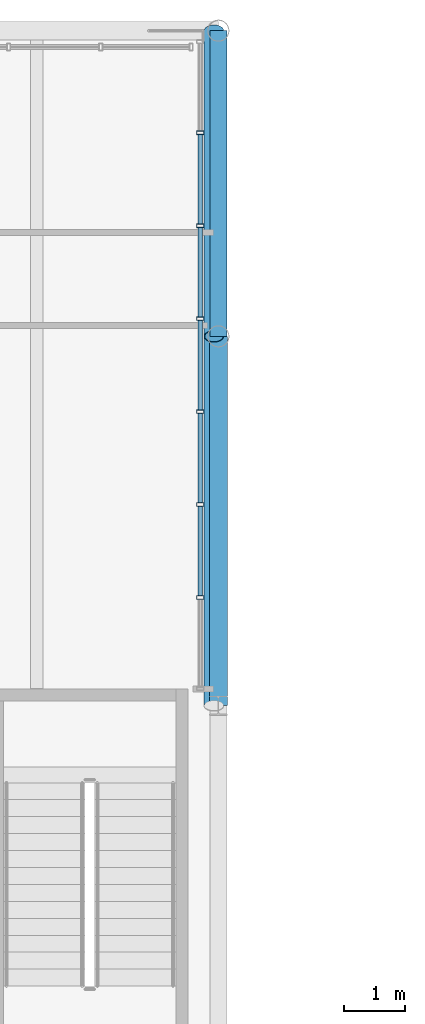
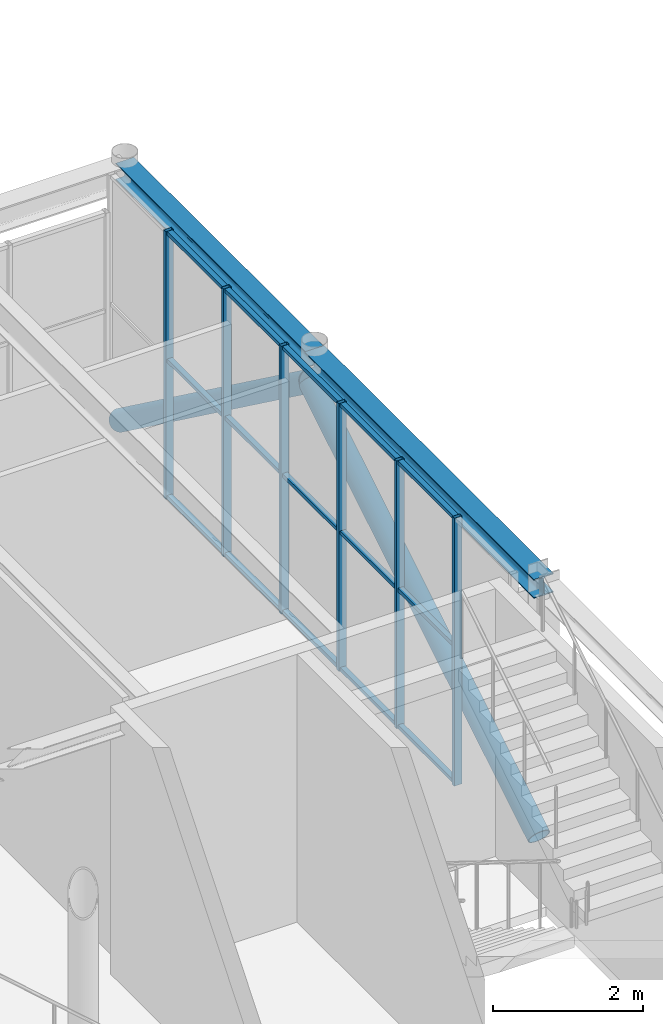
# One storey, part 53 of 111: 23 members, 2 beams, 1 element without a shape of its own.
"""IFC4 building model written with IfcOpenShell, lengths in metres."""

from ifc_helpers import new_model, si_unit, direction, frame, origin, origin_2d, place, context, subcontext, project, spatial, hollow_rectangle, hollow_circle, i_section, extrude, material, layer, layer_set, material_profile, profile_set, type_object, element, aggregate, save


model = new_model("IFC4")

# Units and contexts
model_context = context("Model", 3, precision=1e-05, world=origin(), true_north=direction((0.0, 1.0)))
body_context = subcontext(model_context, "Body", "Model", "MODEL_VIEW")
ifc_project = project(units=[si_unit("LENGTHUNIT", "METRE"), si_unit("AREAUNIT", "SQUARE_METRE"), si_unit("VOLUMEUNIT", "CUBIC_METRE"), si_unit("PLANEANGLEUNIT", "RADIAN"), si_unit("MASSUNIT", "GRAM", prefix="KILO")], contexts=[model_context])

# Site, building, storey
site_placement = place(None, origin())
site = spatial("IfcSite", under=ifc_project, at=site_placement, CompositionType="ELEMENT")
building_placement = place(site_placement, origin())
building = spatial("IfcBuilding", under=site, at=building_placement, Name="Kallimachos Central Library", CompositionType="ELEMENT")
storey_placement = place(building_placement, frame((0.0, 0.0, 14.39990234375)))
storey = spatial("IfcBuildingStorey", under=building, at=storey_placement, Name="L03", CompositionType="ELEMENT", Elevation=14.39990234375)

# Members
ifc_material_1 = material(Name="Steel S355J2H", Category="steel")
ifc_material_profile_1 = material_profile(ifc_material_1, hollow_circle(Radius=0.161865234375, WallThickness=0.012451171875, at=origin_2d()), Name="CHS 323.9x12.5")
ifc_profile_set_1 = profile_set([ifc_material_profile_1], Name="Steel S355J2H")
member_type_1 = type_object("IfcMemberType", Name="CHS 323.9x12.5 brace", PredefinedType="BRACE", material=ifc_profile_set_1)
member_1_placement = place(storey_placement, frame((110.427001953125, 110.5, 0.150146484375), z_axis=(0.0, 0.855016223334, 0.518601251286), x_axis=(-1.0, 0.0, 0.0)))
element("IfcMember", 1, at=member_1_placement, inside=storey, type_object=member_type_1, Name="Cantilever truss diagonal 110.5 L03.1", PredefinedType="BRACE", context=body_context, shape_type="SweptSolid", body=[
    extrude(hollow_circle(Radius=0.161865234375, WallThickness=0.012451171875, at=origin_2d()), origin(), (0.0, 0.0, 1.0), 7.134521484375),
])
member_2_placement = place(storey_placement, frame((110.427001953125, 116.60009765625, 3.85009765625), z_axis=(0.0, 0.806651655217, -0.591027162774), x_axis=(-1.0, 0.0, 0.0)))
element("IfcMember", 2, at=member_2_placement, inside=storey, type_object=member_type_1, Name="Cantilever truss diagonal 110.5 L03.2", PredefinedType="BRACE", context=body_context, shape_type="SweptSolid", body=[
    extrude(hollow_circle(Radius=0.161865234375, WallThickness=0.012451171875, at=origin_2d()), origin(), (0.0, 0.0, 1.0), 6.26025390625),
])

# Curtain wall, members
ifc_material_2 = material(Name="Anodised aluminium and laminated glass", Category="aluminium")
ifc_layer = layer(ifc_material_2, 0.159912109375)
ifc_layer_set = layer_set([ifc_layer], Name="Glass box curtain wall")
curtain_wall_type = type_object("IfcCurtainWallType", Name="Glass box curtain wall", PredefinedType="NOTDEFINED", material=ifc_layer_set)
curtain_wall_placement = place(storey_placement, origin())
curtain_wall = element("IfcCurtainWall", 3, at=curtain_wall_placement, inside=storey, type_object=curtain_wall_type, Name="Glass box curtain wall E L03", PredefinedType="NOTDEFINED")
ifc_material_3 = material(Name="Anodised aluminium", Category="aluminium")
ifc_material_profile_2 = material_profile(ifc_material_3, hollow_rectangle(XDim=0.06005859375, YDim=0.1201171875, WallThickness=0.00390625, at=origin_2d()), Name="ALU MULLION 60x120")
ifc_profile_set_2 = profile_set([ifc_material_profile_2], Name="Anodised aluminium")
member_type_2 = type_object("IfcMemberType", Name="Glass box mullion 60x120", PredefinedType="MULLION", material=ifc_profile_set_2)
member_3_placement = place(storey_placement, frame((110.199951171875, 112.28564453125, 0.0), z_axis=(0.0, 0.0, 1.0), x_axis=(0.0, 1.0, 0.0)))
member_3 = element("IfcMember", 4, at=member_3_placement, type_object=member_type_2, Name="CW26 mullion 2", PredefinedType="MULLION", context=body_context, shape_type="SweptSolid", body=[
    extrude(hollow_rectangle(XDim=0.06005859375, YDim=0.1201171875, WallThickness=0.00390625, at=origin_2d()), origin(), (0.0, 0.0, 1.0), 4.35009765625),
])
member_4_placement = place(storey_placement, frame((110.199951171875, 113.821533203125, 0.0), z_axis=(0.0, 0.0, 1.0), x_axis=(0.0, 1.0, 0.0)))
member_4 = element("IfcMember", 5, at=member_4_placement, type_object=member_type_2, Name="CW26 mullion 3", PredefinedType="MULLION", context=body_context, shape_type="SweptSolid", body=[
    extrude(hollow_rectangle(XDim=0.06005859375, YDim=0.1201171875, WallThickness=0.00390625, at=origin_2d()), origin(), (0.0, 0.0, 1.0), 4.35009765625),
])
member_5_placement = place(storey_placement, frame((110.199951171875, 115.357177734375, 0.0), z_axis=(0.0, 0.0, 1.0), x_axis=(0.0, 1.0, 0.0)))
member_5 = element("IfcMember", 6, at=member_5_placement, type_object=member_type_2, Name="CW26 mullion 4", PredefinedType="MULLION", context=body_context, shape_type="SweptSolid", body=[
    extrude(hollow_rectangle(XDim=0.06005859375, YDim=0.1201171875, WallThickness=0.00390625, at=origin_2d()), origin(), (0.0, 0.0, 1.0), 4.35009765625),
])
member_6_placement = place(storey_placement, frame((110.199951171875, 116.892822265625, 0.0), z_axis=(0.0, 0.0, 1.0), x_axis=(0.0, 1.0, 0.0)))
member_6 = element("IfcMember", 7, at=member_6_placement, type_object=member_type_2, Name="CW26 mullion 5", PredefinedType="MULLION", context=body_context, shape_type="SweptSolid", body=[
    extrude(hollow_rectangle(XDim=0.06005859375, YDim=0.1201171875, WallThickness=0.00390625, at=origin_2d()), origin(), (0.0, 0.0, 1.0), 4.35009765625),
])
member_7_placement = place(storey_placement, frame((110.199951171875, 118.428466796875, 0.0), z_axis=(0.0, 0.0, 1.0), x_axis=(0.0, 1.0, 0.0)))
member_7 = element("IfcMember", 8, at=member_7_placement, type_object=member_type_2, Name="CW26 mullion 6", PredefinedType="MULLION", context=body_context, shape_type="SweptSolid", body=[
    extrude(hollow_rectangle(XDim=0.06005859375, YDim=0.1201171875, WallThickness=0.00390625, at=origin_2d()), origin(), (0.0, 0.0, 1.0), 4.35009765625),
])
member_8_placement = place(storey_placement, frame((110.199951171875, 119.96435546875, 0.0), z_axis=(0.0, 0.0, 1.0), x_axis=(0.0, 1.0, 0.0)))
member_8 = element("IfcMember", 9, at=member_8_placement, type_object=member_type_2, Name="CW26 mullion 7", PredefinedType="MULLION", context=body_context, shape_type="SweptSolid", body=[
    extrude(hollow_rectangle(XDim=0.06005859375, YDim=0.1201171875, WallThickness=0.00390625, at=origin_2d()), origin(), (0.0, 0.0, 1.0), 4.35009765625),
])
ifc_material_4 = material(Name="Anodised aluminium", Category="aluminium")
ifc_material_profile_3 = material_profile(ifc_material_4, hollow_rectangle(XDim=0.06005859375, YDim=0.080078125, WallThickness=0.00390625, at=origin_2d()), Name="ALU TRANSOM 60x80")
ifc_profile_set_3 = profile_set([ifc_material_profile_3], Name="Anodised aluminium")
member_type_3 = type_object("IfcMemberType", Name="Glass box transom 60x80", PredefinedType="USERDEFINED", material=ifc_profile_set_3)
member_9_placement = place(storey_placement, frame((110.199951171875, 112.315673828125, 0.030029296875), z_axis=(0.0, 1.0, 0.0), x_axis=(0.0, 0.0, 1.0)))
member_9 = element("IfcMember", 10, at=member_9_placement, type_object=member_type_3, Name="CW26 transom 2.1", ObjectType="TRANSOM", PredefinedType="USERDEFINED", context=body_context, shape_type="SweptSolid", body=[
    extrude(hollow_rectangle(XDim=0.06005859375, YDim=0.080078125, WallThickness=0.00390625, at=origin_2d()), origin(), (0.0, 0.0, 1.0), 1.475830078125),
])
member_10_placement = place(storey_placement, frame((110.199951171875, 112.315673828125, 2.25), z_axis=(0.0, 1.0, 0.0), x_axis=(0.0, 0.0, 1.0)))
member_10 = element("IfcMember", 11, at=member_10_placement, type_object=member_type_3, Name="CW26 transom 2.2", ObjectType="TRANSOM", PredefinedType="USERDEFINED", context=body_context, shape_type="SweptSolid", body=[
    extrude(hollow_rectangle(XDim=0.06005859375, YDim=0.080078125, WallThickness=0.00390625, at=origin_2d()), origin(), (0.0, 0.0, 1.0), 1.475830078125),
])
member_11_placement = place(storey_placement, frame((110.199951171875, 112.315673828125, 4.320068359375), z_axis=(0.0, 1.0, 0.0), x_axis=(0.0, 0.0, 1.0)))
member_11 = element("IfcMember", 12, at=member_11_placement, type_object=member_type_3, Name="CW26 transom 2.3", ObjectType="TRANSOM", PredefinedType="USERDEFINED", context=body_context, shape_type="SweptSolid", body=[
    extrude(hollow_rectangle(XDim=0.06005859375, YDim=0.080078125, WallThickness=0.00390625, at=origin_2d()), origin(), (0.0, 0.0, 1.0), 1.475830078125),
])
member_12_placement = place(storey_placement, frame((110.199951171875, 113.851318359375, 0.030029296875), z_axis=(0.0, 1.0, 0.0), x_axis=(0.0, 0.0, 1.0)))
member_12 = element("IfcMember", 13, at=member_12_placement, type_object=member_type_3, Name="CW26 transom 3.1", ObjectType="TRANSOM", PredefinedType="USERDEFINED", context=body_context, shape_type="SweptSolid", body=[
    extrude(hollow_rectangle(XDim=0.06005859375, YDim=0.080078125, WallThickness=0.00390625, at=origin_2d()), origin(), (0.0, 0.0, 1.0), 1.475830078125),
])
member_13_placement = place(storey_placement, frame((110.199951171875, 113.851318359375, 2.25), z_axis=(0.0, 1.0, 0.0), x_axis=(0.0, 0.0, 1.0)))
member_13 = element("IfcMember", 14, at=member_13_placement, type_object=member_type_3, Name="CW26 transom 3.2", ObjectType="TRANSOM", PredefinedType="USERDEFINED", context=body_context, shape_type="SweptSolid", body=[
    extrude(hollow_rectangle(XDim=0.06005859375, YDim=0.080078125, WallThickness=0.00390625, at=origin_2d()), origin(), (0.0, 0.0, 1.0), 1.475830078125),
])
member_14_placement = place(storey_placement, frame((110.199951171875, 113.851318359375, 4.320068359375), z_axis=(0.0, 1.0, 0.0), x_axis=(0.0, 0.0, 1.0)))
member_14 = element("IfcMember", 15, at=member_14_placement, type_object=member_type_3, Name="CW26 transom 3.3", ObjectType="TRANSOM", PredefinedType="USERDEFINED", context=body_context, shape_type="SweptSolid", body=[
    extrude(hollow_rectangle(XDim=0.06005859375, YDim=0.080078125, WallThickness=0.00390625, at=origin_2d()), origin(), (0.0, 0.0, 1.0), 1.475830078125),
])
member_15_placement = place(storey_placement, frame((110.199951171875, 115.38720703125, 0.030029296875), z_axis=(0.0, 1.0, 0.0), x_axis=(0.0, 0.0, 1.0)))
member_15 = element("IfcMember", 16, at=member_15_placement, type_object=member_type_3, Name="CW26 transom 4.1", ObjectType="TRANSOM", PredefinedType="USERDEFINED", context=body_context, shape_type="SweptSolid", body=[
    extrude(hollow_rectangle(XDim=0.06005859375, YDim=0.080078125, WallThickness=0.00390625, at=origin_2d()), origin(), (0.0, 0.0, 1.0), 1.4755859375),
])
member_16_placement = place(storey_placement, frame((110.199951171875, 115.38720703125, 2.25), z_axis=(0.0, 1.0, 0.0), x_axis=(0.0, 0.0, 1.0)))
member_16 = element("IfcMember", 17, at=member_16_placement, type_object=member_type_3, Name="CW26 transom 4.2", ObjectType="TRANSOM", PredefinedType="USERDEFINED", context=body_context, shape_type="SweptSolid", body=[
    extrude(hollow_rectangle(XDim=0.06005859375, YDim=0.080078125, WallThickness=0.00390625, at=origin_2d()), origin(), (0.0, 0.0, 1.0), 1.4755859375),
])
member_17_placement = place(storey_placement, frame((110.199951171875, 115.38720703125, 4.320068359375), z_axis=(0.0, 1.0, 0.0), x_axis=(0.0, 0.0, 1.0)))
member_17 = element("IfcMember", 18, at=member_17_placement, type_object=member_type_3, Name="CW26 transom 4.3", ObjectType="TRANSOM", PredefinedType="USERDEFINED", context=body_context, shape_type="SweptSolid", body=[
    extrude(hollow_rectangle(XDim=0.06005859375, YDim=0.080078125, WallThickness=0.00390625, at=origin_2d()), origin(), (0.0, 0.0, 1.0), 1.4755859375),
])
member_18_placement = place(storey_placement, frame((110.199951171875, 116.9228515625, 0.030029296875), z_axis=(0.0, 1.0, 0.0), x_axis=(0.0, 0.0, 1.0)))
member_18 = element("IfcMember", 19, at=member_18_placement, type_object=member_type_3, Name="CW26 transom 5.1", ObjectType="TRANSOM", PredefinedType="USERDEFINED", context=body_context, shape_type="SweptSolid", body=[
    extrude(hollow_rectangle(XDim=0.06005859375, YDim=0.080078125, WallThickness=0.00390625, at=origin_2d()), origin(), (0.0, 0.0, 1.0), 1.475830078125),
])
member_19_placement = place(storey_placement, frame((110.199951171875, 116.9228515625, 2.25), z_axis=(0.0, 1.0, 0.0), x_axis=(0.0, 0.0, 1.0)))
member_19 = element("IfcMember", 20, at=member_19_placement, type_object=member_type_3, Name="CW26 transom 5.2", ObjectType="TRANSOM", PredefinedType="USERDEFINED", context=body_context, shape_type="SweptSolid", body=[
    extrude(hollow_rectangle(XDim=0.06005859375, YDim=0.080078125, WallThickness=0.00390625, at=origin_2d()), origin(), (0.0, 0.0, 1.0), 1.475830078125),
])
member_20_placement = place(storey_placement, frame((110.199951171875, 116.9228515625, 4.320068359375), z_axis=(0.0, 1.0, 0.0), x_axis=(0.0, 0.0, 1.0)))
member_20 = element("IfcMember", 21, at=member_20_placement, type_object=member_type_3, Name="CW26 transom 5.3", ObjectType="TRANSOM", PredefinedType="USERDEFINED", context=body_context, shape_type="SweptSolid", body=[
    extrude(hollow_rectangle(XDim=0.06005859375, YDim=0.080078125, WallThickness=0.00390625, at=origin_2d()), origin(), (0.0, 0.0, 1.0), 1.475830078125),
])
member_21_placement = place(storey_placement, frame((110.199951171875, 118.45849609375, 0.030029296875), z_axis=(0.0, 1.0, 0.0), x_axis=(0.0, 0.0, 1.0)))
member_21 = element("IfcMember", 22, at=member_21_placement, type_object=member_type_3, Name="CW26 transom 6.1", ObjectType="TRANSOM", PredefinedType="USERDEFINED", context=body_context, shape_type="SweptSolid", body=[
    extrude(hollow_rectangle(XDim=0.06005859375, YDim=0.080078125, WallThickness=0.00390625, at=origin_2d()), origin(), (0.0, 0.0, 1.0), 1.475830078125),
])
member_22_placement = place(storey_placement, frame((110.199951171875, 118.45849609375, 2.25), z_axis=(0.0, 1.0, 0.0), x_axis=(0.0, 0.0, 1.0)))
member_22 = element("IfcMember", 23, at=member_22_placement, type_object=member_type_3, Name="CW26 transom 6.2", ObjectType="TRANSOM", PredefinedType="USERDEFINED", context=body_context, shape_type="SweptSolid", body=[
    extrude(hollow_rectangle(XDim=0.06005859375, YDim=0.080078125, WallThickness=0.00390625, at=origin_2d()), origin(), (0.0, 0.0, 1.0), 1.475830078125),
])
member_23_placement = place(storey_placement, frame((110.199951171875, 118.45849609375, 4.320068359375), z_axis=(0.0, 1.0, 0.0), x_axis=(0.0, 0.0, 1.0)))
member_23 = element("IfcMember", 24, at=member_23_placement, type_object=member_type_3, Name="CW26 transom 6.3", ObjectType="TRANSOM", PredefinedType="USERDEFINED", context=body_context, shape_type="SweptSolid", body=[
    extrude(hollow_rectangle(XDim=0.06005859375, YDim=0.080078125, WallThickness=0.00390625, at=origin_2d()), origin(), (0.0, 0.0, 1.0), 1.475830078125),
])
aggregate(curtain_wall, [member_3, member_4, member_5, member_6, member_7, member_8, member_9, member_10, member_11, member_12, member_13, member_14, member_15, member_16, member_17, member_18, member_19, member_20, member_21, member_22, member_23])

# Beams
ifc_material_5 = material(Name="Steel S355J2", Category="steel")
ifc_material_profile_4 = material_profile(ifc_material_5, i_section(OverallWidth=0.280029296875, OverallDepth=0.27001953125, WebThickness=0.008056640625, FlangeThickness=0.012939453125, FilletRadius=0.02392578125, at=origin_2d()), Name="HEA 280")
ifc_profile_set_4 = profile_set([ifc_material_profile_4], Name="Steel S355J2")
beam_type_1 = type_object("IfcBeamType", Name="HEA 280 beam", PredefinedType="BEAM", material=ifc_profile_set_4)
beam_1_placement = place(storey_placement, frame((110.5, 116.60009765625, 4.215087890625), z_axis=(0.0, 1.0, 0.0), x_axis=(-1.0, 0.0, 0.0)))
element("IfcBeam", 25, at=beam_1_placement, inside=storey, type_object=beam_type_1, Name="V1-BEM-L03-038", PredefinedType="BEAM", context=body_context, shape_type="SweptSolid", body=[
    extrude(i_section(OverallWidth=0.280029296875, OverallDepth=0.27001953125, WebThickness=0.008056640625, FlangeThickness=0.012939453125, FilletRadius=0.02392578125, at=origin_2d()), origin(), (0.0, 0.0, 1.0), 5.0498046875),
])
ifc_material_6 = material(Name="Steel S355J2", Category="steel")
ifc_material_profile_5 = material_profile(ifc_material_6, i_section(OverallWidth=0.300048828125, OverallDepth=0.31005859375, WebThickness=0.009033203125, FlangeThickness=0.015380859375, FilletRadius=0.027099609375, at=origin_2d()), Name="HEA 320")
ifc_profile_set_5 = profile_set([ifc_material_profile_5], Name="Steel S355J2")
beam_type_2 = type_object("IfcBeamType", Name="HEA 320 beam", PredefinedType="BEAM", material=ifc_profile_set_5)
beam_2_placement = place(storey_placement, frame((110.5, 110.5, 4.195068359375), z_axis=(0.0, 1.0, 0.0), x_axis=(-1.0, 0.0, 0.0)))
element("IfcBeam", 26, at=beam_2_placement, inside=storey, type_object=beam_type_2, Name="V1-BEM-L03-037", PredefinedType="BEAM", context=body_context, shape_type="SweptSolid", body=[
    extrude(i_section(OverallWidth=0.300048828125, OverallDepth=0.31005859375, WebThickness=0.009033203125, FlangeThickness=0.015380859375, FilletRadius=0.027099609375, at=origin_2d()), origin(), (0.0, 0.0, 1.0), 6.10009765625),
])

save(model, "model.ifc")
